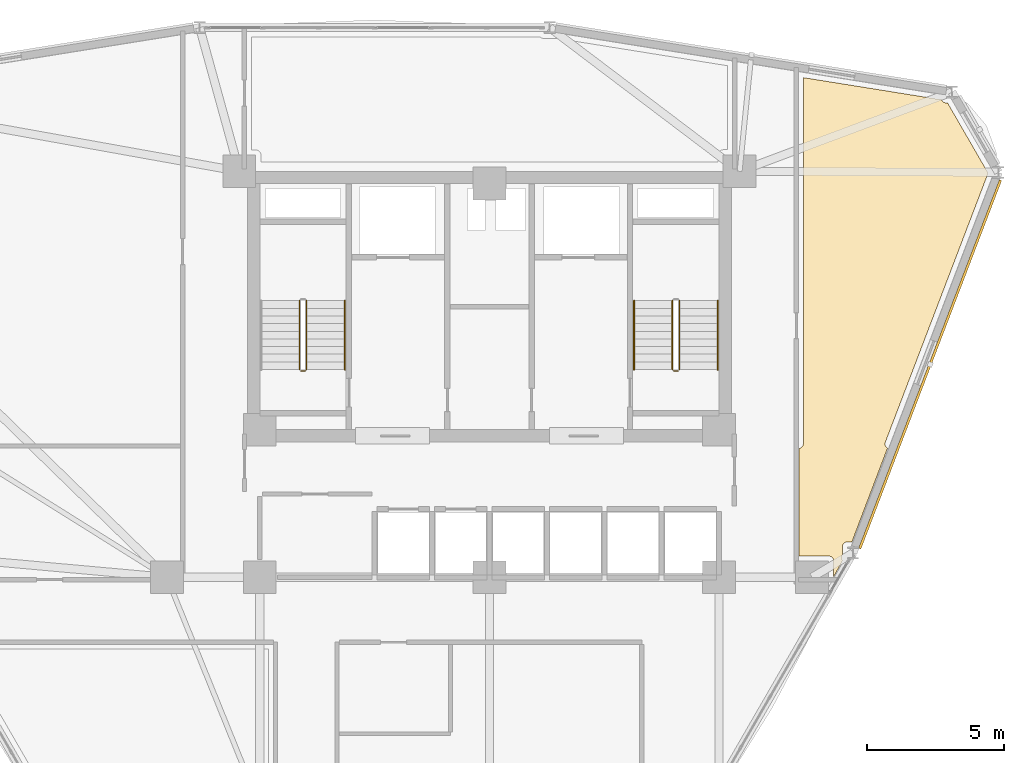
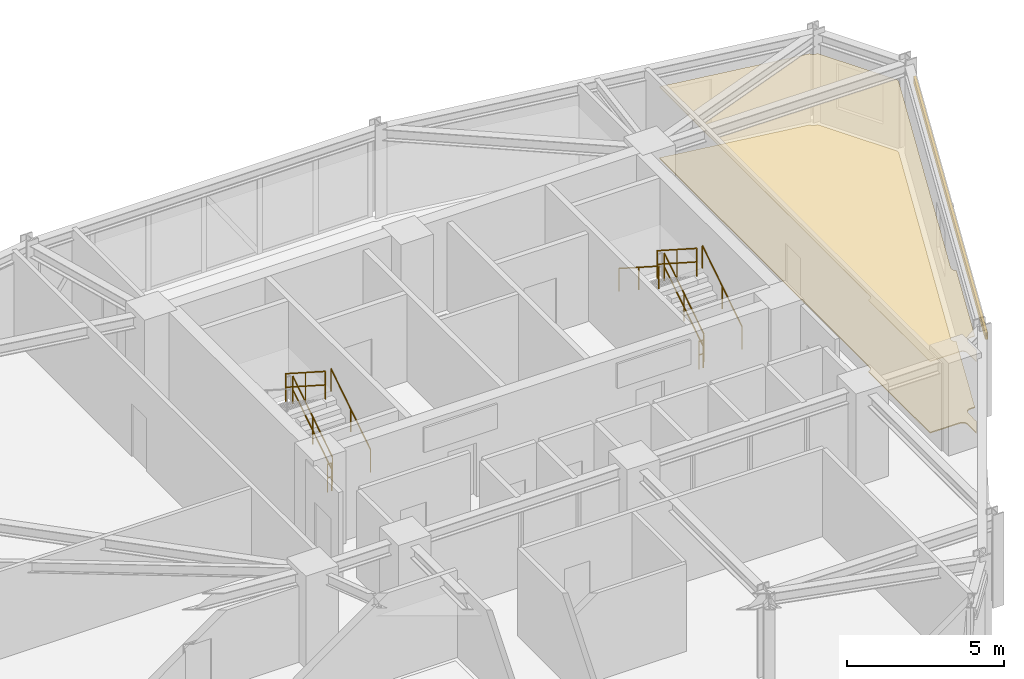
# One storey, part 14 of 15: 9 railings, 2 coverings, 1 shading device.
"""IFC4 building model written with IfcOpenShell, lengths in metres."""

from ifc_helpers import new_model, si_unit, derived_unit, direction, frame, origin, origin_2d, place, context, subcontext, project, spatial, polyline, hollow_rectangle, circle, outline, extrude, source, transform, mapped, material, layer, layer_set, material_profile, profile_set, type_object, element, save


model = new_model("IFC4")

# Units and contexts
model_context = context("Model", 3, precision=1e-05, world=origin(), true_north=direction((0.0, 1.0)))
body_context = subcontext(model_context, "Body", "Model", "MODEL_VIEW")
ifc_project = project(units=[si_unit("LENGTHUNIT", "METRE"), si_unit("AREAUNIT", "SQUARE_METRE"), si_unit("VOLUMEUNIT", "CUBIC_METRE"), si_unit("PLANEANGLEUNIT", "RADIAN"), si_unit("MASSUNIT", "GRAM", prefix="KILO"), derived_unit("THERMALTRANSMITTANCEUNIT", [(si_unit("POWERUNIT", "WATT"), 1), (si_unit("LENGTHUNIT", "METRE"), -2), (si_unit("THERMODYNAMICTEMPERATUREUNIT", "KELVIN"), -1)])], contexts=[model_context])

# Site, building, storey
site_placement = place(None, origin())
site = spatial("IfcSite", under=ifc_project, at=site_placement, CompositionType="ELEMENT")
building_placement = place(site_placement, origin())
building = spatial("IfcBuilding", under=site, at=building_placement, Name="Korsvarv Bourse and Concert Hall", CompositionType="ELEMENT")
storey_placement = place(building_placement, frame((0.0, 0.0, 161.39990234375)))
storey = spatial("IfcBuildingStorey", under=building, at=storey_placement, Name="L41", CompositionType="ELEMENT", Elevation=161.39990234375)

# Coverings
ifc_material_1 = material(Name="Perforated mineral-wool and birch acoustic baffle ceiling", Category="wood")
ifc_layer_1 = layer(ifc_material_1, 0.02490234375)
ifc_layer_set_1 = layer_set([ifc_layer_1], Name="Perforated mineral-wool and birch acoustic baffle ceiling")
covering_type_1 = type_object("IfcCoveringType", Name="COV-CEIL-1", PredefinedType="CEILING", material=ifc_layer_set_1)
covering_1_placement = place(storey_placement, frame((0.0, 0.0, 2.780029296875)))
element("IfcCovering", 1, at=covering_1_placement, inside=storey, type_object=covering_type_1, Name="L41 acoustic baffle ceiling 2", PredefinedType="CEILING", context=body_context, shape_type="SweptSolid", body=[
    extrude(outline(polyline([(47.320068359375, 37.111328125), (47.34521484375, 37.11572265625), (47.37939453125, 37.12841796875), (47.41015625, 37.147705078125), (47.4365234375, 37.1728515625), (47.45751953125, 37.20263671875), (47.4716796875, 37.236083984375), (47.47900390625, 37.271728515625), (47.47998046875, 50.677490234375), (52.53515625, 49.867919921875), (52.544921875, 49.8466796875), (52.5654296875, 49.81689453125), (52.591552734375, 49.791748046875), (52.6220703125, 49.7724609375), (52.656005859375, 49.759521484375), (52.691650390625, 49.753662109375), (52.7578125, 49.749755859375), (54.21826171875, 47.2197265625), (54.21826171875, 47.1298828125), (50.480712890625, 37.343505859375), (50.471435546875, 37.308349609375), (50.468994140625, 37.272216796875), (50.474365234375, 37.236083984375), (50.486572265625, 37.201904296875), (50.505615234375, 37.170654296875), (50.5302734375, 37.14404296875), (50.559814453125, 37.122802734375), (49.259765625, 33.697509765625), (49.0908203125, 33.697509765625), (49.05615234375, 33.694091796875), (49.022705078125, 33.684326171875), (48.991943359375, 33.668212890625), (48.96484375, 33.646240234375), (48.9423828125, 33.61962890625), (48.925537109375, 33.58935546875), (48.914794921875, 33.55615234375), (48.91064453125, 33.521484375), (48.900634765625, 33.07666015625), (48.9033203125, 33.04150390625), (48.9130859375, 33.00732421875), (48.590087890625, 32.426025390625), (48.590087890625, 33.0), (48.586669921875, 33.034912109375), (48.576416015625, 33.068603515625), (48.56005859375, 33.099609375), (48.537841796875, 33.126708984375), (48.5107421875, 33.149169921875), (48.47998046875, 33.166015625), (48.4462890625, 33.17626953125), (48.41162109375, 33.179931640625), (47.320068359375, 33.18896484375), (47.320068359375, 37.111328125)])), origin(), (0.0, 0.0, 1.0), 0.025146484375),
])
ifc_material_2 = material(Name="Calcium-sulphate raised access trading floor with Nordic oak top", Category="wood")
ifc_layer_2 = layer(ifc_material_2, 0.0400390625)
ifc_layer_set_2 = layer_set([ifc_layer_2], Name="Calcium-sulphate raised access trading floor with Nordic oak top")
covering_type_2 = type_object("IfcCoveringType", Name="COV-FLOR-1", PredefinedType="FLOORING", material=ifc_layer_set_2)
covering_2_placement = place(storey_placement, origin())
element("IfcCovering", 2, at=covering_2_placement, inside=storey, type_object=covering_type_2, Name="L41 raised access oak floor finish 2", PredefinedType="FLOORING", context=body_context, shape_type="SweptSolid", body=[
    extrude(outline(polyline([(47.320068359375, 37.111328125), (47.34521484375, 37.11572265625), (47.37939453125, 37.12841796875), (47.41015625, 37.147705078125), (47.4365234375, 37.1728515625), (47.45751953125, 37.20263671875), (47.4716796875, 37.236083984375), (47.47900390625, 37.271728515625), (47.47998046875, 50.677490234375), (52.53515625, 49.867919921875), (52.544921875, 49.8466796875), (52.5654296875, 49.81689453125), (52.591552734375, 49.791748046875), (52.6220703125, 49.7724609375), (52.656005859375, 49.759521484375), (52.691650390625, 49.753662109375), (52.7578125, 49.749755859375), (54.21826171875, 47.2197265625), (54.21826171875, 47.1298828125), (50.480712890625, 37.343505859375), (50.471435546875, 37.308349609375), (50.468994140625, 37.272216796875), (50.474365234375, 37.236083984375), (50.486572265625, 37.201904296875), (50.505615234375, 37.170654296875), (50.5302734375, 37.14404296875), (50.559814453125, 37.122802734375), (49.259765625, 33.697509765625), (49.0908203125, 33.697509765625), (49.05615234375, 33.694091796875), (49.022705078125, 33.684326171875), (48.991943359375, 33.668212890625), (48.96484375, 33.646240234375), (48.9423828125, 33.61962890625), (48.925537109375, 33.58935546875), (48.914794921875, 33.55615234375), (48.91064453125, 33.521484375), (48.900634765625, 33.07666015625), (48.9033203125, 33.04150390625), (48.9130859375, 33.00732421875), (48.590087890625, 32.426025390625), (48.590087890625, 33.0), (48.586669921875, 33.034912109375), (48.576416015625, 33.068603515625), (48.56005859375, 33.099609375), (48.537841796875, 33.126708984375), (48.5107421875, 33.149169921875), (48.47998046875, 33.166015625), (48.4462890625, 33.17626953125), (48.41162109375, 33.179931640625), (47.320068359375, 33.18896484375), (47.320068359375, 37.111328125)])), origin(), (0.0, 0.0, 1.0), 0.0400390625),
])

# Railings
ifc_material_3 = material(Name="Painted Steel S355 stair well guardrail", Category="steel")
railing_type_1 = type_object("IfcRailingType", Name="RL-ST-GRD", PredefinedType="GUARDRAIL", material=ifc_material_3)
railing_1_placement = place(storey_placement, frame((29.31005859375, 40.0, 0.18017578125)))
element("IfcRailing", 3, at=railing_1_placement, inside=storey, type_object=railing_type_1, Name="L41 ST-T1 stair guard 1", PredefinedType="GUARDRAIL", context=body_context, shape_type="SweptSolid", body=[
    extrude(circle(Radius=0.02392578125, at=origin_2d()), frame((0.0, 0.0, 1.076171875), z_axis=(0.0, 0.841199657755, 0.540724639528), x_axis=(-1.0, 0.0, 0.0)), (0.0, 0.0, 1.0), 2.995849609375),
    extrude(circle(Radius=0.02392578125, at=origin_2d()), frame((0.0, 0.0, 0.550048828125), z_axis=(0.0, 0.841199657755, 0.540724639528), x_axis=(-1.0, 0.0, 0.0)), (0.0, 0.0, 1.0), 2.995849609375),
    extrude(circle(Radius=0.02099609375, at=origin_2d()), origin(), (0.0, 0.0, 1.0), 1.052001953125),
    extrude(circle(Radius=0.02099609375, at=origin_2d()), frame((0.0, 1.260009765625, 0.81005859375)), (0.0, 0.0, 1.0), 1.052001953125),
    extrude(circle(Radius=0.02099609375, at=origin_2d()), frame((0.0, 2.52001953125, 1.619873046875)), (0.0, 0.0, 1.0), 1.052001953125),
])
railing_2_placement = place(storey_placement, frame((29.050048828125, 42.52001953125, 1.97998046875)))
element("IfcRailing", 4, at=railing_2_placement, inside=storey, type_object=railing_type_1, Name="L41 ST-T1 stair guard 3", PredefinedType="GUARDRAIL", context=body_context, shape_type="SweptSolid", body=[
    extrude(circle(Radius=0.02392578125, at=origin_2d()), frame((0.0, 0.0, 1.076171875), z_axis=(0.0, -0.841162588446, 0.540782303519), x_axis=(1.0, 0.0, 0.0)), (0.0, 0.0, 1.0), 2.995849609375),
    extrude(circle(Radius=0.02392578125, at=origin_2d()), frame((0.0, 0.0, 0.550048828125), z_axis=(0.0, -0.841162588446, 0.540782303519), x_axis=(1.0, 0.0, 0.0)), (0.0, 0.0, 1.0), 2.995849609375),
    extrude(circle(Radius=0.02099609375, at=origin_2d()), origin(), (0.0, 0.0, 1.0), 1.052001953125),
    extrude(circle(Radius=0.02099609375, at=origin_2d()), frame((0.0, -1.260009765625, 0.81005859375)), (0.0, 0.0, 1.0), 1.052001953125),
    extrude(circle(Radius=0.02099609375, at=origin_2d()), frame((0.0, -2.52001953125, 1.6201171875)), (0.0, 0.0, 1.0), 1.052001953125),
])
railing_3_placement = place(storey_placement, frame((29.260009765625, 39.949951171875, 0.0)))
element("IfcRailing", 5, at=railing_3_placement, inside=storey, type_object=railing_type_1, Name="L41 ST-T1 stair guard 4", PredefinedType="GUARDRAIL", context=body_context, shape_type="SweptSolid", body=[
    extrude(circle(Radius=0.02392578125, at=origin_2d()), frame((0.0, 0.0, 1.076171875), z_axis=(-1.0, 0.0, 0.0), x_axis=(0.0, -1.0, 0.0)), (0.0, 0.0, 1.0), 0.159912109375),
    extrude(circle(Radius=0.02392578125, at=origin_2d()), frame((0.0, 0.0, 0.550048828125), z_axis=(-1.0, 0.0, 0.0), x_axis=(0.0, -1.0, 0.0)), (0.0, 0.0, 1.0), 0.159912109375),
    extrude(circle(Radius=0.02099609375, at=origin_2d()), origin(), (0.0, 0.0, 1.0), 1.052001953125),
    extrude(circle(Radius=0.02099609375, at=origin_2d()), frame((-0.159912109375, 0.0, 0.0)), (0.0, 0.0, 1.0), 1.052001953125),
])
railing_4_placement = place(storey_placement, frame((42.949951171875, 40.0, 0.18017578125)))
element("IfcRailing", 6, at=railing_4_placement, inside=storey, type_object=railing_type_1, Name="L41 ST-T2 stair guard 1", PredefinedType="GUARDRAIL", context=body_context, shape_type="SweptSolid", body=[
    extrude(circle(Radius=0.02392578125, at=origin_2d()), frame((0.0, 0.0, 1.076171875), z_axis=(0.0, 0.841199657755, 0.540724639528), x_axis=(-1.0, 0.0, 0.0)), (0.0, 0.0, 1.0), 2.995849609375),
    extrude(circle(Radius=0.02392578125, at=origin_2d()), frame((0.0, 0.0, 0.550048828125), z_axis=(0.0, 0.841199657755, 0.540724639528), x_axis=(-1.0, 0.0, 0.0)), (0.0, 0.0, 1.0), 2.995849609375),
    extrude(circle(Radius=0.02099609375, at=origin_2d()), origin(), (0.0, 0.0, 1.0), 1.052001953125),
    extrude(circle(Radius=0.02099609375, at=origin_2d()), frame((0.0, 1.260009765625, 0.81005859375)), (0.0, 0.0, 1.0), 1.052001953125),
    extrude(circle(Radius=0.02099609375, at=origin_2d()), frame((0.0, 2.52001953125, 1.619873046875)), (0.0, 0.0, 1.0), 1.052001953125),
])
railing_5_placement = place(storey_placement, frame((42.68994140625, 42.52001953125, 1.97998046875)))
element("IfcRailing", 7, at=railing_5_placement, inside=storey, type_object=railing_type_1, Name="L41 ST-T2 stair guard 3", PredefinedType="GUARDRAIL", context=body_context, shape_type="SweptSolid", body=[
    extrude(circle(Radius=0.02392578125, at=origin_2d()), frame((0.0, 0.0, 1.076171875), z_axis=(0.0, -0.841162588446, 0.540782303519), x_axis=(1.0, 0.0, 0.0)), (0.0, 0.0, 1.0), 2.995849609375),
    extrude(circle(Radius=0.02392578125, at=origin_2d()), frame((0.0, 0.0, 0.550048828125), z_axis=(0.0, -0.841162588446, 0.540782303519), x_axis=(1.0, 0.0, 0.0)), (0.0, 0.0, 1.0), 2.995849609375),
    extrude(circle(Radius=0.02099609375, at=origin_2d()), origin(), (0.0, 0.0, 1.0), 1.052001953125),
    extrude(circle(Radius=0.02099609375, at=origin_2d()), frame((0.0, -1.260009765625, 0.81005859375)), (0.0, 0.0, 1.0), 1.052001953125),
    extrude(circle(Radius=0.02099609375, at=origin_2d()), frame((0.0, -2.52001953125, 1.6201171875)), (0.0, 0.0, 1.0), 1.052001953125),
])
railing_6_placement = place(storey_placement, frame((42.89990234375, 39.949951171875, 0.0)))
element("IfcRailing", 8, at=railing_6_placement, inside=storey, type_object=railing_type_1, Name="L41 ST-T2 stair guard 4", PredefinedType="GUARDRAIL", context=body_context, shape_type="SweptSolid", body=[
    extrude(circle(Radius=0.02392578125, at=origin_2d()), frame((0.0, 0.0, 1.076171875), z_axis=(-1.0, 0.0, 0.0), x_axis=(0.0, -1.0, 0.0)), (0.0, 0.0, 1.0), 0.159912109375),
    extrude(circle(Radius=0.02392578125, at=origin_2d()), frame((0.0, 0.0, 0.550048828125), z_axis=(-1.0, 0.0, 0.0), x_axis=(0.0, -1.0, 0.0)), (0.0, 0.0, 1.0), 0.159912109375),
    extrude(circle(Radius=0.02099609375, at=origin_2d()), origin(), (0.0, 0.0, 1.0), 1.052001953125),
    extrude(circle(Radius=0.02099609375, at=origin_2d()), frame((-0.159912109375, 0.0, 0.0)), (0.0, 0.0, 1.0), 1.052001953125),
])
ifc_material_4 = material(Name="Brushed stainless Steel S355 tubular handrail", Category="steel")
railing_type_2 = type_object("IfcRailingType", Name="RL-ST-HND", PredefinedType="HANDRAIL", material=ifc_material_4)
for number, where, name in (
    (9, (30.7099609375, 40.0, 0.18017578125), "L41 ST-T1 stair handrail 1"),
    (10, (44.35009765625, 40.0, 0.18017578125), "L41 ST-T2 stair handrail 1"),
):
    element("IfcRailing", number, at=place(storey_placement, frame(where)), inside=storey, type_object=railing_type_2, Name=name, PredefinedType="HANDRAIL", context=body_context, shape_type="SweptSolid", body=[
        extrude(circle(Radius=0.02392578125, at=origin_2d()), frame((0.0, 0.0, 0.8759765625), z_axis=(0.0, 0.841199657755, 0.540724639528), x_axis=(-1.0, 0.0, 0.0)), (0.0, 0.0, 1.0), 2.995849609375),
        extrude(circle(Radius=0.02099609375, at=origin_2d()), origin(), (0.0, 0.0, 1.0), 0.851806640625),
        extrude(circle(Radius=0.02099609375, at=origin_2d()), frame((0.0, 1.260009765625, 0.81005859375)), (0.0, 0.0, 1.0), 0.851806640625),
        extrude(circle(Radius=0.02099609375, at=origin_2d()), frame((0.0, 2.52001953125, 1.619873046875)), (0.0, 0.0, 1.0), 0.851806640625),
    ])
railing_7_placement = place(storey_placement, frame((41.2900390625, 42.52001953125, 1.97998046875)))
element("IfcRailing", 11, at=railing_7_placement, inside=storey, type_object=railing_type_2, Name="L41 ST-T2 stair handrail 2", PredefinedType="HANDRAIL", context=body_context, shape_type="SweptSolid", body=[
    extrude(circle(Radius=0.02392578125, at=origin_2d()), frame((0.0, 0.0, 0.8759765625), z_axis=(0.0, -0.841162588446, 0.540782303519), x_axis=(1.0, 0.0, 0.0)), (0.0, 0.0, 1.0), 2.995849609375),
    extrude(circle(Radius=0.02099609375, at=origin_2d()), origin(), (0.0, 0.0, 1.0), 0.851806640625),
    extrude(circle(Radius=0.02099609375, at=origin_2d()), frame((0.0, -1.260009765625, 0.81005859375)), (0.0, 0.0, 1.0), 0.851806640625),
    extrude(circle(Radius=0.02099609375, at=origin_2d()), frame((0.0, -2.52001953125, 1.6201171875)), (0.0, 0.0, 1.0), 0.851806640625),
])

# Shading device
ifc_material_5 = material(Name="Glazed extruded architectural terracotta", Category="ceramic")
ifc_material_profile = material_profile(ifc_material_5, hollow_rectangle(XDim=0.090087890625, YDim=0.260009765625, WallThickness=0.011962890625, at=origin_2d()), Name="TC-BAG 90x260")
ifc_profile_set = profile_set([ifc_material_profile], Name="Glazed extruded architectural terracotta")
shading_device_type = type_object("IfcShadingDeviceType", Name="SHD-BAG-1", PredefinedType="USERDEFINED", material=ifc_profile_set)
shared_shape = source(origin(), body_context, "Body", "SweptSolid", [
    extrude(hollow_rectangle(XDim=0.090087890625, YDim=0.260009765625, WallThickness=0.011962890625, at=origin_2d()), origin(), (0.0, 0.0, 1.0), 14.42822265625),
])
shading_device_placement = place(storey_placement, frame((49.545166015625, 33.4501953125, 2.840087890625), z_axis=(0.356778358033, 0.934189061828, 0.0), x_axis=(-0.934189061828, 0.356778358033, 0.0)))
element("IfcShadingDevice", 12, at=shading_device_placement, inside=storey, type_object=shading_device_type, Name="L41 terracotta baguette sunshade EW-L41-B12", ObjectType="BAGUETTE", PredefinedType="USERDEFINED", context=body_context, shape_type="MappedRepresentation", body=[
    mapped(shared_shape, transform((0.0, 0.0, 0.0), scale=1.0)),
])

save(model, "model.ifc")
